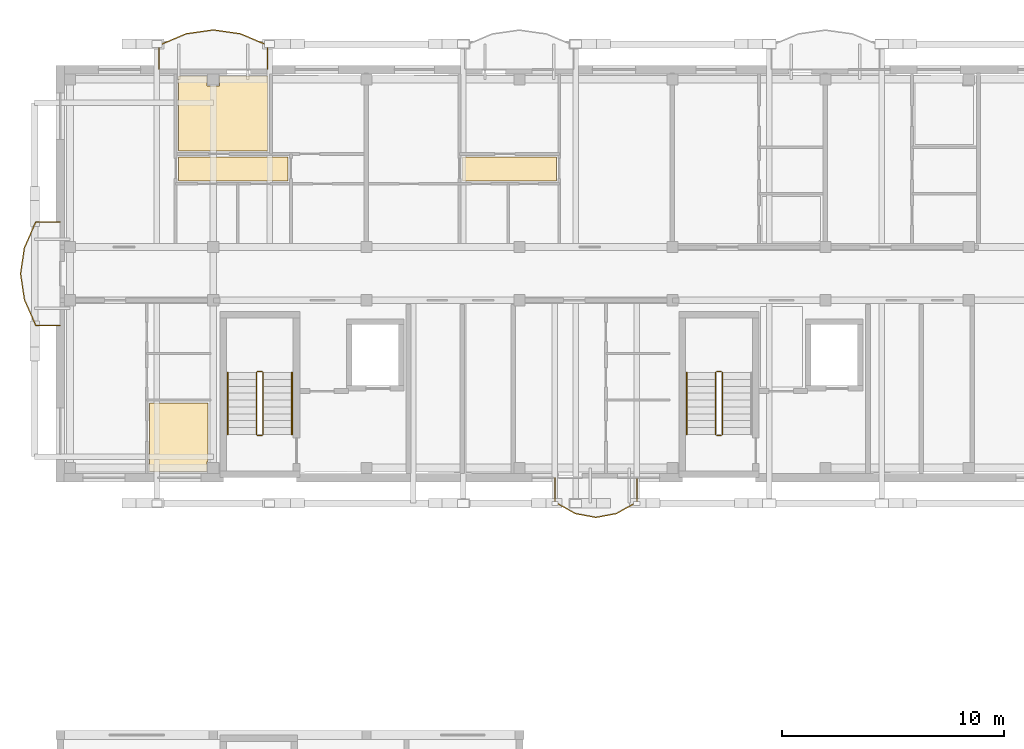
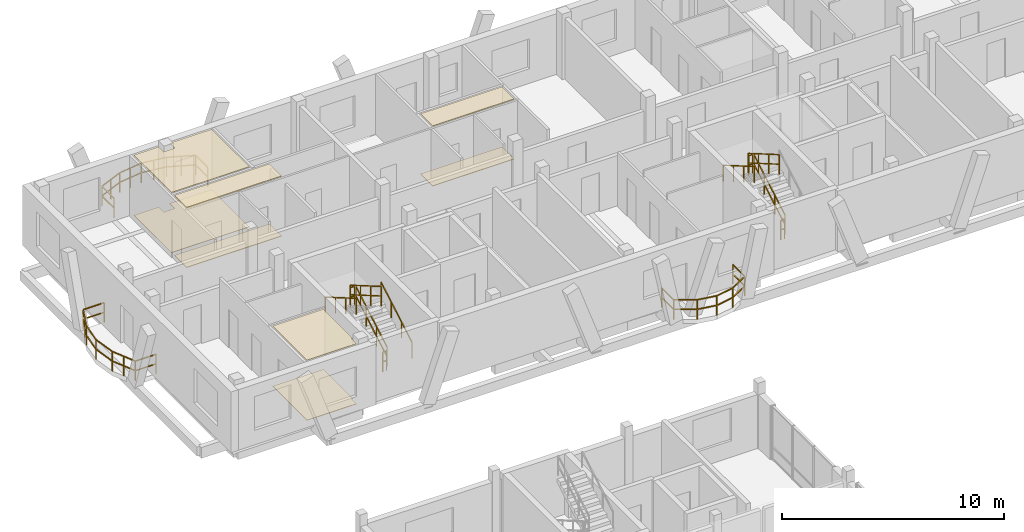
# One storey, part 179 of 189: 14 railings, 8 coverings.
"""IFC4 building model written with IfcOpenShell, lengths in metres."""

from ifc_helpers import new_model, si_unit, direction, frame, origin, origin_2d, place, context, subcontext, project, spatial, polyline, rectangle, outline, extrude, material, layer, layer_set, type_object, element, save


model = new_model("IFC4")

# Units and contexts
model_context = context("Model", 3, precision=1e-05, world=origin(), true_north=direction((0.0, 1.0)))
body_context = subcontext(model_context, "Body", "Model", "MODEL_VIEW")
ifc_project = project(units=[si_unit("LENGTHUNIT", "METRE"), si_unit("AREAUNIT", "SQUARE_METRE"), si_unit("VOLUMEUNIT", "CUBIC_METRE"), si_unit("PLANEANGLEUNIT", "RADIAN"), si_unit("MASSUNIT", "GRAM", prefix="KILO")], contexts=[model_context])

# Site, building, storey
site_placement = place(None, origin())
site = spatial("IfcSite", under=ifc_project, at=site_placement, CompositionType="ELEMENT")
building_placement = place(site_placement, origin())
building = spatial("IfcBuilding", under=site, at=building_placement, Name="Zavelmont Quarter", CompositionType="ELEMENT")
storey_placement = place(building_placement, frame((0.0, 0.0, 4.39990234375)))
storey = spatial("IfcBuildingStorey", under=building, at=storey_placement, Name="L01", CompositionType="ELEMENT", Elevation=4.39990234375)

# Coverings
ifc_material_1 = material(Name="Perforated acoustic gypsum board")
ifc_layer_1 = layer(ifc_material_1, 0.02490234375)
ifc_layer_set_1 = layer_set([ifc_layer_1], Name="Perforated acoustic gypsum board")
covering_type_1 = type_object("IfcCoveringType", Name="CV-CL01", PredefinedType="CEILING", material=ifc_layer_set_1)
covering_1_placement = place(storey_placement, frame((0.0, 0.0, 3.30517578125)))
element("IfcCovering", 1, at=covering_1_placement, inside=storey, type_object=covering_type_1, Name="L01 Master Bedroom acoustic ceiling", PredefinedType="CEILING", context=body_context, shape_type="SweptSolid", body=[
    extrude(outline(polyline([(5.330078125, 115.719970703125), (6.610107421875, 115.719970703125), (6.610107421875, 115.27001953125), (7.18994140625, 115.27001953125), (7.18994140625, 115.719970703125), (9.3701171875, 115.719970703125), (9.3701171875, 112.330078125), (5.330078125, 112.330078125), (5.330078125, 115.719970703125)])), origin(), (0.0, 0.0, 1.0), 0.02490234375),
])
covering_2_placement = place(storey_placement, frame((0.0, 0.0, 3.30517578125)))
element("IfcCovering", 2, at=covering_2_placement, inside=storey, type_object=covering_type_1, Name="L01 Single Bedroom acoustic ceiling", PredefinedType="CEILING", context=body_context, shape_type="SweptSolid", body=[
    extrude(outline(polyline([(4.030029296875, 100.969970703125), (6.669921875, 100.969970703125), (6.669921875, 98.330078125), (6.610107421875, 98.330078125), (6.610107421875, 97.8798828125), (4.030029296875, 97.8798828125), (4.030029296875, 100.969970703125)])), origin(), (0.0, 0.0, 1.0), 0.02490234375),
])
ifc_material_2 = material(Name="Slatted European ash acoustic baffle ceiling")
ifc_layer_2 = layer(ifc_material_2, 0.0400390625)
ifc_layer_set_2 = layer_set([ifc_layer_2], Name="Slatted European ash acoustic baffle ceiling")
covering_type_2 = type_object("IfcCoveringType", Name="CV-CL02", PredefinedType="CEILING", material=ifc_layer_set_2)
covering_3_placement = place(storey_placement, frame((0.0, 0.0, 3.2900390625)))
element("IfcCovering", 3, at=covering_3_placement, inside=storey, type_object=covering_type_2, Name="L01 Apartment Hall acoustic ceiling", PredefinedType="CEILING", context=body_context, shape_type="SweptSolid", body=[
    extrude(outline(polyline([(5.330078125, 112.070068359375), (10.27001953125, 112.070068359375), (10.27001953125, 110.97998046875), (5.330078125, 110.97998046875), (5.330078125, 112.070068359375)])), origin(), (0.0, 0.0, 1.0), 0.0400390625),
])
covering_4_placement = place(storey_placement, frame((0.0, 0.0, 3.2900390625)))
element("IfcCovering", 4, at=covering_4_placement, inside=storey, type_object=covering_type_2, Name="L01 Apartment Hall acoustic ceiling", PredefinedType="CEILING", context=body_context, shape_type="SweptSolid", body=[
    extrude(outline(polyline([(18.1298828125, 112.070068359375), (22.3701171875, 112.070068359375), (22.3701171875, 110.97998046875), (18.1298828125, 110.97998046875), (18.1298828125, 112.070068359375)])), origin(), (0.0, 0.0, 1.0), 0.0400390625),
])
ifc_material_3 = material(Name="Engineered European oak parquet")
ifc_layer_3 = layer(ifc_material_3, 0.02197265625)
ifc_layer_set_3 = layer_set([ifc_layer_3], Name="Engineered European oak parquet")
covering_type_3 = type_object("IfcCoveringType", Name="CV-FL01", PredefinedType="FLOORING", material=ifc_layer_set_3)
covering_5_placement = place(storey_placement, origin())
element("IfcCovering", 5, at=covering_5_placement, inside=storey, type_object=covering_type_3, Name="L01 Master Bedroom floor finish", PredefinedType="FLOORING", context=body_context, shape_type="SweptSolid", body=[
    extrude(outline(polyline([(5.330078125, 115.719970703125), (6.610107421875, 115.719970703125), (6.610107421875, 115.27001953125), (7.18994140625, 115.27001953125), (7.18994140625, 115.719970703125), (9.3701171875, 115.719970703125), (9.3701171875, 112.330078125), (5.330078125, 112.330078125), (5.330078125, 115.719970703125)])), origin(), (0.0, 0.0, 1.0), 0.022216796875),
])
covering_6_placement = place(storey_placement, origin())
element("IfcCovering", 6, at=covering_6_placement, inside=storey, type_object=covering_type_3, Name="L01 Single Bedroom floor finish", PredefinedType="FLOORING", context=body_context, shape_type="SweptSolid", body=[
    extrude(outline(polyline([(4.030029296875, 100.969970703125), (6.669921875, 100.969970703125), (6.669921875, 98.330078125), (6.610107421875, 98.330078125), (6.610107421875, 97.8798828125), (4.030029296875, 97.8798828125), (4.030029296875, 100.969970703125)])), origin(), (0.0, 0.0, 1.0), 0.022216796875),
])
ifc_material_4 = material(Name="Honed Belgian bluestone tile", Category="masonry")
ifc_layer_4 = layer(ifc_material_4, 0.030029296875)
ifc_layer_set_4 = layer_set([ifc_layer_4], Name="Honed Belgian bluestone tile")
covering_type_4 = type_object("IfcCoveringType", Name="CV-FL02", PredefinedType="FLOORING", material=ifc_layer_set_4)
covering_7_placement = place(storey_placement, origin())
element("IfcCovering", 7, at=covering_7_placement, inside=storey, type_object=covering_type_4, Name="L01 Apartment Hall floor finish", PredefinedType="FLOORING", context=body_context, shape_type="SweptSolid", body=[
    extrude(outline(polyline([(5.330078125, 112.070068359375), (10.27001953125, 112.070068359375), (10.27001953125, 110.97998046875), (5.330078125, 110.97998046875), (5.330078125, 112.070068359375)])), origin(), (0.0, 0.0, 1.0), 0.030029296875),
])
covering_8_placement = place(storey_placement, origin())
element("IfcCovering", 8, at=covering_8_placement, inside=storey, type_object=covering_type_4, Name="L01 Apartment Hall floor finish", PredefinedType="FLOORING", context=body_context, shape_type="SweptSolid", body=[
    extrude(outline(polyline([(18.1298828125, 112.070068359375), (22.3701171875, 112.070068359375), (22.3701171875, 110.97998046875), (18.1298828125, 110.97998046875), (18.1298828125, 112.070068359375)])), origin(), (0.0, 0.0, 1.0), 0.030029296875),
])

# Railings
ifc_material_5 = material(Name="Powder-coated steel and tempered double safety glass", Category="steel")
railing_type_1 = type_object("IfcRailingType", Name="RL-BAL1", PredefinedType="BALUSTRADE", material=ifc_material_5)
railing_1_placement = place(storey_placement, frame((9.339111328125, 116.02001953125, 0.0)))
element("IfcRailing", 9, at=railing_1_placement, inside=storey, type_object=railing_type_1, Name="L01 Block B curved balcony guard RL-BAL1", PredefinedType="BALUSTRADE", context=body_context, shape_type="SweptSolid", body=[
    extrude(rectangle(XDim=0.048095703125, YDim=0.048095703125, at=origin_2d()), frame((0.0, 0.0, 1.076171875), z_axis=(0.0, 1.0, 0.0), x_axis=(-1.0, 0.0, 0.0)), (0.0, 0.0, 1.0), 1.080078125),
    extrude(rectangle(XDim=0.048095703125, YDim=0.048095703125, at=origin_2d()), frame((0.0, 0.0, 0.550048828125), z_axis=(0.0, 1.0, 0.0), x_axis=(-1.0, 0.0, 0.0)), (0.0, 0.0, 1.0), 1.080078125),
    extrude(rectangle(XDim=0.048095703125, YDim=0.048095703125, at=origin_2d()), frame((0.0, 1.080078125, 1.076171875), z_axis=(-0.92058780564, 0.390535647678, 0.0), x_axis=(-0.390535647678, -0.92058780564, 0.0)), (0.0, 0.0, 1.0), 1.32470703125),
    extrude(rectangle(XDim=0.048095703125, YDim=0.048095703125, at=origin_2d()), frame((0.0, 1.080078125, 0.550048828125), z_axis=(-0.92058780564, 0.390535647678, 0.0), x_axis=(-0.390535647678, -0.92058780564, 0.0)), (0.0, 0.0, 1.0), 1.32470703125),
    extrude(rectangle(XDim=0.048095703125, YDim=0.048095703125, at=origin_2d()), frame((-1.219482421875, 1.597412109375, 1.076171875), z_axis=(-0.990134929143, 0.140117172719, 0.0), x_axis=(-0.140117172719, -0.990134929143, 0.0)), (0.0, 0.0, 1.0), 1.23193359375),
    extrude(rectangle(XDim=0.048095703125, YDim=0.048095703125, at=origin_2d()), frame((-1.219482421875, 1.597412109375, 0.550048828125), z_axis=(-0.990134929143, 0.140117172719, 0.0), x_axis=(-0.140117172719, -0.990134929143, 0.0)), (0.0, 0.0, 1.0), 1.23193359375),
    extrude(rectangle(XDim=0.048095703125, YDim=0.048095703125, at=origin_2d()), frame((-2.439208984375, 1.77001953125, 1.076171875), z_axis=(-0.990131037056, -0.140144673313, 0.0), x_axis=(0.140144673313, -0.990131037056, 0.0)), (0.0, 0.0, 1.0), 1.231689453125),
    extrude(rectangle(XDim=0.048095703125, YDim=0.048095703125, at=origin_2d()), frame((-2.439208984375, 1.77001953125, 0.550048828125), z_axis=(-0.990131037056, -0.140144673313, 0.0), x_axis=(0.140144673313, -0.990131037056, 0.0)), (0.0, 0.0, 1.0), 1.231689453125),
    extrude(rectangle(XDim=0.048095703125, YDim=0.048095703125, at=origin_2d()), frame((-3.65869140625, 1.597412109375, 1.076171875), z_axis=(-0.920615907856, -0.390469397267, 0.0), x_axis=(0.390469397267, -0.920615907856, 0.0)), (0.0, 0.0, 1.0), 1.324951171875),
    extrude(rectangle(XDim=0.048095703125, YDim=0.048095703125, at=origin_2d()), frame((-3.65869140625, 1.597412109375, 0.550048828125), z_axis=(-0.920615907856, -0.390469397267, 0.0), x_axis=(0.390469397267, -0.920615907856, 0.0)), (0.0, 0.0, 1.0), 1.324951171875),
    extrude(rectangle(XDim=0.048095703125, YDim=0.048095703125, at=origin_2d()), frame((-4.87841796875, 1.080078125, 1.076171875), z_axis=(0.0, -1.0, 0.0), x_axis=(1.0, 0.0, 0.0)), (0.0, 0.0, 1.0), 1.080078125),
    extrude(rectangle(XDim=0.048095703125, YDim=0.048095703125, at=origin_2d()), frame((-4.87841796875, 1.080078125, 0.550048828125), z_axis=(0.0, -1.0, 0.0), x_axis=(1.0, 0.0, 0.0)), (0.0, 0.0, 1.0), 1.080078125),
    extrude(rectangle(XDim=0.0419921875, YDim=0.0419921875, at=origin_2d()), origin(), (0.0, 0.0, 1.0), 1.052001953125),
    extrude(rectangle(XDim=0.0419921875, YDim=0.0419921875, at=origin_2d()), frame((0.0, 1.080078125, 0.0)), (0.0, 0.0, 1.0), 1.052001953125),
    extrude(rectangle(XDim=0.0419921875, YDim=0.0419921875, at=origin_2d()), frame((-0.60986328125, 1.3388671875, 0.0)), (0.0, 0.0, 1.0), 1.052001953125),
    extrude(rectangle(XDim=0.0419921875, YDim=0.0419921875, at=origin_2d()), frame((-1.219482421875, 1.597412109375, 0.0)), (0.0, 0.0, 1.0), 1.052001953125),
    extrude(rectangle(XDim=0.0419921875, YDim=0.0419921875, at=origin_2d()), frame((-1.829345703125, 1.68359375, 0.0)), (0.0, 0.0, 1.0), 1.052001953125),
    extrude(rectangle(XDim=0.0419921875, YDim=0.0419921875, at=origin_2d()), frame((-2.439208984375, 1.77001953125, 0.0)), (0.0, 0.0, 1.0), 1.052001953125),
    extrude(rectangle(XDim=0.0419921875, YDim=0.0419921875, at=origin_2d()), frame((-3.048828125, 1.68359375, 0.0)), (0.0, 0.0, 1.0), 1.052001953125),
    extrude(rectangle(XDim=0.0419921875, YDim=0.0419921875, at=origin_2d()), frame((-3.65869140625, 1.597412109375, 0.0)), (0.0, 0.0, 1.0), 1.052001953125),
    extrude(rectangle(XDim=0.0419921875, YDim=0.0419921875, at=origin_2d()), frame((-4.2685546875, 1.3388671875, 0.0)), (0.0, 0.0, 1.0), 1.052001953125),
    extrude(rectangle(XDim=0.0419921875, YDim=0.0419921875, at=origin_2d()), frame((-4.87841796875, 1.080078125, 0.0)), (0.0, 0.0, 1.0), 1.052001953125),
    extrude(rectangle(XDim=0.0419921875, YDim=0.0419921875, at=origin_2d()), frame((-4.87841796875, 0.0, 0.0)), (0.0, 0.0, 1.0), 1.052001953125),
])
railing_2_placement = place(storey_placement, frame((-0.02001953125, 109.13671875, 0.0)))
element("IfcRailing", 10, at=railing_2_placement, inside=storey, type_object=railing_type_1, Name="L01 Block B curved balcony guard RL-BAL1", PredefinedType="BALUSTRADE", context=body_context, shape_type="SweptSolid", body=[
    extrude(rectangle(XDim=0.048095703125, YDim=0.048095703125, at=origin_2d()), frame((0.0, 0.0, 1.076171875), z_axis=(-1.0, 0.0, 0.0), x_axis=(0.0, -1.0, 0.0)), (0.0, 0.0, 1.0), 1.080078125),
    extrude(rectangle(XDim=0.048095703125, YDim=0.048095703125, at=origin_2d()), frame((0.0, 0.0, 0.550048828125), z_axis=(-1.0, 0.0, 0.0), x_axis=(0.0, -1.0, 0.0)), (0.0, 0.0, 1.0), 1.080078125),
    extrude(rectangle(XDim=0.048095703125, YDim=0.048095703125, at=origin_2d()), frame((-1.080078125, 0.0, 1.076171875), z_axis=(-0.404914747102, -0.914354443079, 0.0), x_axis=(0.914354443079, -0.404914747102, 0.0)), (0.0, 0.0, 1.0), 1.277587890625),
    extrude(rectangle(XDim=0.048095703125, YDim=0.048095703125, at=origin_2d()), frame((-1.080078125, 0.0, 0.550048828125), z_axis=(-0.404914747102, -0.914354443079, 0.0), x_axis=(0.914354443079, -0.404914747102, 0.0)), (0.0, 0.0, 1.0), 1.277587890625),
    extrude(rectangle(XDim=0.048095703125, YDim=0.048095703125, at=origin_2d()), frame((-1.597412109375, -1.168212890625, 1.076171875), z_axis=(-0.146136636369, -0.989264415367, 0.0), x_axis=(0.989264415367, -0.146136636369, 0.0)), (0.0, 0.0, 1.0), 1.18115234375),
    extrude(rectangle(XDim=0.048095703125, YDim=0.048095703125, at=origin_2d()), frame((-1.597412109375, -1.168212890625, 0.550048828125), z_axis=(-0.146136636369, -0.989264415367, 0.0), x_axis=(0.989264415367, -0.146136636369, 0.0)), (0.0, 0.0, 1.0), 1.18115234375),
    extrude(rectangle(XDim=0.048095703125, YDim=0.048095703125, at=origin_2d()), frame((-1.77001953125, -2.336669921875, 1.076171875), z_axis=(0.146136636369, -0.989264415367, 0.0), x_axis=(0.989264415367, 0.146136636369, 0.0)), (0.0, 0.0, 1.0), 1.18115234375),
    extrude(rectangle(XDim=0.048095703125, YDim=0.048095703125, at=origin_2d()), frame((-1.77001953125, -2.336669921875, 0.550048828125), z_axis=(0.146136636369, -0.989264415367, 0.0), x_axis=(0.989264415367, 0.146136636369, 0.0)), (0.0, 0.0, 1.0), 1.18115234375),
    extrude(rectangle(XDim=0.048095703125, YDim=0.048095703125, at=origin_2d()), frame((-1.597412109375, -3.505126953125, 1.076171875), z_axis=(0.404844010797, -0.914385764829, 0.0), x_axis=(0.914385764829, 0.404844010797, 0.0)), (0.0, 0.0, 1.0), 1.27783203125),
    extrude(rectangle(XDim=0.048095703125, YDim=0.048095703125, at=origin_2d()), frame((-1.597412109375, -3.505126953125, 0.550048828125), z_axis=(0.404844010797, -0.914385764829, 0.0), x_axis=(0.914385764829, 0.404844010797, 0.0)), (0.0, 0.0, 1.0), 1.27783203125),
    extrude(rectangle(XDim=0.048095703125, YDim=0.048095703125, at=origin_2d()), frame((-1.080078125, -4.673583984375, 1.076171875), z_axis=(1.0, 0.0, 0.0), x_axis=(0.0, 1.0, 0.0)), (0.0, 0.0, 1.0), 1.080078125),
    extrude(rectangle(XDim=0.048095703125, YDim=0.048095703125, at=origin_2d()), frame((-1.080078125, -4.673583984375, 0.550048828125), z_axis=(1.0, 0.0, 0.0), x_axis=(0.0, 1.0, 0.0)), (0.0, 0.0, 1.0), 1.080078125),
    extrude(rectangle(XDim=0.0419921875, YDim=0.0419921875, at=origin_2d()), origin(), (0.0, 0.0, 1.0), 1.052001953125),
    extrude(rectangle(XDim=0.0419921875, YDim=0.0419921875, at=origin_2d()), frame((-1.080078125, 0.0, 0.0)), (0.0, 0.0, 1.0), 1.052001953125),
    extrude(rectangle(XDim=0.0419921875, YDim=0.0419921875, at=origin_2d()), frame((-1.3388671875, -0.583984375, 0.0)), (0.0, 0.0, 1.0), 1.052001953125),
    extrude(rectangle(XDim=0.0419921875, YDim=0.0419921875, at=origin_2d()), frame((-1.597412109375, -1.168212890625, 0.0)), (0.0, 0.0, 1.0), 1.052001953125),
    extrude(rectangle(XDim=0.0419921875, YDim=0.0419921875, at=origin_2d()), frame((-1.77001953125, -2.336669921875, 0.0)), (0.0, 0.0, 1.0), 1.052001953125),
    extrude(rectangle(XDim=0.0419921875, YDim=0.0419921875, at=origin_2d()), frame((-1.597412109375, -3.505126953125, 0.0)), (0.0, 0.0, 1.0), 1.052001953125),
    extrude(rectangle(XDim=0.0419921875, YDim=0.0419921875, at=origin_2d()), frame((-1.3388671875, -4.08935546875, 0.0)), (0.0, 0.0, 1.0), 1.052001953125),
    extrude(rectangle(XDim=0.0419921875, YDim=0.0419921875, at=origin_2d()), frame((-1.080078125, -4.673583984375, 0.0)), (0.0, 0.0, 1.0), 1.052001953125),
    extrude(rectangle(XDim=0.0419921875, YDim=0.0419921875, at=origin_2d()), frame((0.0, -4.673583984375, 0.0)), (0.0, 0.0, 1.0), 1.052001953125),
])
railing_3_placement = place(storey_placement, frame((22.3046875, 97.580078125, 0.0)))
element("IfcRailing", 11, at=railing_3_placement, inside=storey, type_object=railing_type_1, Name="L01 Block B curved balcony guard RL-BAL1", PredefinedType="BALUSTRADE", context=body_context, shape_type="SweptSolid", body=[
    extrude(rectangle(XDim=0.048095703125, YDim=0.048095703125, at=origin_2d()), frame((0.0, 0.0, 1.076171875), z_axis=(0.0, -1.0, 0.0), x_axis=(1.0, 0.0, 0.0)), (0.0, 0.0, 1.0), 1.080078125),
    extrude(rectangle(XDim=0.048095703125, YDim=0.048095703125, at=origin_2d()), frame((0.0, 0.0, 0.550048828125), z_axis=(0.0, -1.0, 0.0), x_axis=(1.0, 0.0, 0.0)), (0.0, 0.0, 1.0), 1.080078125),
    extrude(rectangle(XDim=0.048095703125, YDim=0.048095703125, at=origin_2d()), frame((0.0, -1.080078125, 1.076171875), z_axis=(0.87213583552, -0.489263818815, 0.0), x_axis=(0.489263818815, 0.87213583552, 0.0)), (0.0, 0.0, 1.0), 1.057861328125),
    extrude(rectangle(XDim=0.048095703125, YDim=0.048095703125, at=origin_2d()), frame((0.0, -1.080078125, 0.550048828125), z_axis=(0.87213583552, -0.489263818815, 0.0), x_axis=(0.489263818815, 0.87213583552, 0.0)), (0.0, 0.0, 1.0), 1.057861328125),
    extrude(rectangle(XDim=0.048095703125, YDim=0.048095703125, at=origin_2d()), frame((0.922607421875, -1.59765625, 1.076171875), z_axis=(0.982992710855, -0.183644576307, 0.0), x_axis=(0.183644576307, 0.982992710855, 0.0)), (0.0, 0.0, 1.0), 0.9384765625),
    extrude(rectangle(XDim=0.048095703125, YDim=0.048095703125, at=origin_2d()), frame((0.922607421875, -1.59765625, 0.550048828125), z_axis=(0.982992710855, -0.183644576307, 0.0), x_axis=(0.183644576307, 0.982992710855, 0.0)), (0.0, 0.0, 1.0), 0.9384765625),
    extrude(rectangle(XDim=0.048095703125, YDim=0.048095703125, at=origin_2d()), frame((1.84521484375, -1.77001953125, 1.076171875), z_axis=(0.982992710855, 0.183644576307, 0.0), x_axis=(-0.183644576307, 0.982992710855, 0.0)), (0.0, 0.0, 1.0), 0.9384765625),
    extrude(rectangle(XDim=0.048095703125, YDim=0.048095703125, at=origin_2d()), frame((1.84521484375, -1.77001953125, 0.550048828125), z_axis=(0.982992710855, 0.183644576307, 0.0), x_axis=(-0.183644576307, 0.982992710855, 0.0)), (0.0, 0.0, 1.0), 0.9384765625),
    extrude(rectangle(XDim=0.048095703125, YDim=0.048095703125, at=origin_2d()), frame((2.767822265625, -1.59765625, 1.076171875), z_axis=(0.872191063904, 0.489165358592, 0.0), x_axis=(-0.489165358592, 0.872191063904, 0.0)), (0.0, 0.0, 1.0), 1.05810546875),
    extrude(rectangle(XDim=0.048095703125, YDim=0.048095703125, at=origin_2d()), frame((2.767822265625, -1.59765625, 0.550048828125), z_axis=(0.872191063904, 0.489165358592, 0.0), x_axis=(-0.489165358592, 0.872191063904, 0.0)), (0.0, 0.0, 1.0), 1.05810546875),
    extrude(rectangle(XDim=0.048095703125, YDim=0.048095703125, at=origin_2d()), frame((3.690673828125, -1.080078125, 1.076171875), z_axis=(0.0, 1.0, 0.0), x_axis=(-1.0, 0.0, 0.0)), (0.0, 0.0, 1.0), 1.080078125),
    extrude(rectangle(XDim=0.048095703125, YDim=0.048095703125, at=origin_2d()), frame((3.690673828125, -1.080078125, 0.550048828125), z_axis=(0.0, 1.0, 0.0), x_axis=(-1.0, 0.0, 0.0)), (0.0, 0.0, 1.0), 1.080078125),
    extrude(rectangle(XDim=0.0419921875, YDim=0.0419921875, at=origin_2d()), origin(), (0.0, 0.0, 1.0), 1.052001953125),
    extrude(rectangle(XDim=0.0419921875, YDim=0.0419921875, at=origin_2d()), frame((0.0, -1.080078125, 0.0)), (0.0, 0.0, 1.0), 1.052001953125),
    extrude(rectangle(XDim=0.0419921875, YDim=0.0419921875, at=origin_2d()), frame((0.922607421875, -1.59765625, 0.0)), (0.0, 0.0, 1.0), 1.052001953125),
    extrude(rectangle(XDim=0.0419921875, YDim=0.0419921875, at=origin_2d()), frame((1.84521484375, -1.77001953125, 0.0)), (0.0, 0.0, 1.0), 1.052001953125),
    extrude(rectangle(XDim=0.0419921875, YDim=0.0419921875, at=origin_2d()), frame((2.767822265625, -1.59765625, 0.0)), (0.0, 0.0, 1.0), 1.052001953125),
    extrude(rectangle(XDim=0.0419921875, YDim=0.0419921875, at=origin_2d()), frame((3.690673828125, -1.080078125, 0.0)), (0.0, 0.0, 1.0), 1.052001953125),
    extrude(rectangle(XDim=0.0419921875, YDim=0.0419921875, at=origin_2d()), frame((3.690673828125, 0.0, 0.0)), (0.0, 0.0, 1.0), 1.052001953125),
])
ifc_material_6 = material(Name="Powder-coated steel stair guardrail", Category="steel")
railing_type_2 = type_object("IfcRailingType", Name="RL-GRD1", PredefinedType="GUARDRAIL", material=ifc_material_6)
railing_4_placement = place(storey_placement, frame((9.14990234375, 99.550048828125, 0.18017578125)))
element("IfcRailing", 12, at=railing_4_placement, inside=storey, type_object=railing_type_2, Name="L01 ST03 stair guardrail 1", PredefinedType="GUARDRAIL", context=body_context, shape_type="SweptSolid", body=[
    extrude(rectangle(XDim=0.048095703125, YDim=0.048095703125, at=origin_2d()), frame((0.0, 0.0, 1.076171875), z_axis=(0.0, 0.864809086542, 0.502100830347), x_axis=(-1.0, 0.0, 0.0)), (0.0, 0.0, 1.0), 3.22607421875),
    extrude(rectangle(XDim=0.048095703125, YDim=0.048095703125, at=origin_2d()), frame((0.0, 0.0, 0.550048828125), z_axis=(0.0, 0.864809086542, 0.502100830347), x_axis=(-1.0, 0.0, 0.0)), (0.0, 0.0, 1.0), 3.22607421875),
    extrude(rectangle(XDim=0.0419921875, YDim=0.0419921875, at=origin_2d()), origin(), (0.0, 0.0, 1.0), 1.052001953125),
    extrude(rectangle(XDim=0.0419921875, YDim=0.0419921875, at=origin_2d()), frame((0.0, 0.929931640625, 0.5400390625)), (0.0, 0.0, 1.0), 1.052001953125),
    extrude(rectangle(XDim=0.0419921875, YDim=0.0419921875, at=origin_2d()), frame((0.0, 1.860107421875, 1.079833984375)), (0.0, 0.0, 1.0), 1.052001953125),
    extrude(rectangle(XDim=0.0419921875, YDim=0.0419921875, at=origin_2d()), frame((0.0, 2.7900390625, 1.619873046875)), (0.0, 0.0, 1.0), 1.052001953125),
])
railing_5_placement = place(storey_placement, frame((9.10009765625, 102.389892578125, 1.800048828125)))
element("IfcRailing", 13, at=railing_5_placement, inside=storey, type_object=railing_type_2, Name="L01 ST03 stair guardrail 2", PredefinedType="GUARDRAIL", context=body_context, shape_type="SweptSolid", body=[
    extrude(rectangle(XDim=0.048095703125, YDim=0.048095703125, at=origin_2d()), frame((0.0, 0.0, 1.076171875), z_axis=(-1.0, 0.0, 0.0), x_axis=(0.0, -1.0, 0.0)), (0.0, 0.0, 1.0), 0.2001953125),
    extrude(rectangle(XDim=0.048095703125, YDim=0.048095703125, at=origin_2d()), frame((0.0, 0.0, 0.550048828125), z_axis=(-1.0, 0.0, 0.0), x_axis=(0.0, -1.0, 0.0)), (0.0, 0.0, 1.0), 0.2001953125),
    extrude(rectangle(XDim=0.0419921875, YDim=0.0419921875, at=origin_2d()), origin(), (0.0, 0.0, 1.0), 1.052001953125),
    extrude(rectangle(XDim=0.0419921875, YDim=0.0419921875, at=origin_2d()), frame((-0.2001953125, 0.0, 0.0)), (0.0, 0.0, 1.0), 1.052001953125),
])
railing_6_placement = place(storey_placement, frame((8.85009765625, 102.340087890625, 1.97998046875)))
element("IfcRailing", 14, at=railing_6_placement, inside=storey, type_object=railing_type_2, Name="L01 ST03 stair guardrail 3", PredefinedType="GUARDRAIL", context=body_context, shape_type="SweptSolid", body=[
    extrude(rectangle(XDim=0.048095703125, YDim=0.048095703125, at=origin_2d()), frame((0.0, 0.0, 1.076171875), z_axis=(0.0, -0.86477622642, 0.502157423742), x_axis=(1.0, 0.0, 0.0)), (0.0, 0.0, 1.0), 3.226318359375),
    extrude(rectangle(XDim=0.048095703125, YDim=0.048095703125, at=origin_2d()), frame((0.0, 0.0, 0.550048828125), z_axis=(0.0, -0.86477622642, 0.502157423742), x_axis=(1.0, 0.0, 0.0)), (0.0, 0.0, 1.0), 3.226318359375),
    extrude(rectangle(XDim=0.0419921875, YDim=0.0419921875, at=origin_2d()), origin(), (0.0, 0.0, 1.0), 1.052001953125),
    extrude(rectangle(XDim=0.0419921875, YDim=0.0419921875, at=origin_2d()), frame((0.0, -0.929931640625, 0.5400390625)), (0.0, 0.0, 1.0), 1.052001953125),
    extrude(rectangle(XDim=0.0419921875, YDim=0.0419921875, at=origin_2d()), frame((0.0, -1.860107421875, 1.080078125)), (0.0, 0.0, 1.0), 1.052001953125),
    extrude(rectangle(XDim=0.0419921875, YDim=0.0419921875, at=origin_2d()), frame((0.0, -2.7900390625, 1.6201171875)), (0.0, 0.0, 1.0), 1.052001953125),
])
railing_7_placement = place(storey_placement, frame((9.10009765625, 99.5, 0.0)))
element("IfcRailing", 15, at=railing_7_placement, inside=storey, type_object=railing_type_2, Name="L01 ST03 stair guardrail 4", PredefinedType="GUARDRAIL", context=body_context, shape_type="SweptSolid", body=[
    extrude(rectangle(XDim=0.048095703125, YDim=0.048095703125, at=origin_2d()), frame((0.0, 0.0, 1.076171875), z_axis=(-1.0, 0.0, 0.0), x_axis=(0.0, -1.0, 0.0)), (0.0, 0.0, 1.0), 0.2001953125),
    extrude(rectangle(XDim=0.048095703125, YDim=0.048095703125, at=origin_2d()), frame((0.0, 0.0, 0.550048828125), z_axis=(-1.0, 0.0, 0.0), x_axis=(0.0, -1.0, 0.0)), (0.0, 0.0, 1.0), 0.2001953125),
    extrude(rectangle(XDim=0.0419921875, YDim=0.0419921875, at=origin_2d()), origin(), (0.0, 0.0, 1.0), 1.052001953125),
    extrude(rectangle(XDim=0.0419921875, YDim=0.0419921875, at=origin_2d()), frame((-0.2001953125, 0.0, 0.0)), (0.0, 0.0, 1.0), 1.052001953125),
])
railing_8_placement = place(storey_placement, frame((29.85009765625, 99.550048828125, 0.18017578125)))
element("IfcRailing", 16, at=railing_8_placement, inside=storey, type_object=railing_type_2, Name="L01 ST04 stair guardrail 1", PredefinedType="GUARDRAIL", context=body_context, shape_type="SweptSolid", body=[
    extrude(rectangle(XDim=0.048095703125, YDim=0.048095703125, at=origin_2d()), frame((0.0, 0.0, 1.076171875), z_axis=(0.0, 0.864809086542, 0.502100830347), x_axis=(-1.0, 0.0, 0.0)), (0.0, 0.0, 1.0), 3.22607421875),
    extrude(rectangle(XDim=0.048095703125, YDim=0.048095703125, at=origin_2d()), frame((0.0, 0.0, 0.550048828125), z_axis=(0.0, 0.864809086542, 0.502100830347), x_axis=(-1.0, 0.0, 0.0)), (0.0, 0.0, 1.0), 3.22607421875),
    extrude(rectangle(XDim=0.0419921875, YDim=0.0419921875, at=origin_2d()), origin(), (0.0, 0.0, 1.0), 1.052001953125),
    extrude(rectangle(XDim=0.0419921875, YDim=0.0419921875, at=origin_2d()), frame((0.0, 0.929931640625, 0.5400390625)), (0.0, 0.0, 1.0), 1.052001953125),
    extrude(rectangle(XDim=0.0419921875, YDim=0.0419921875, at=origin_2d()), frame((0.0, 1.860107421875, 1.079833984375)), (0.0, 0.0, 1.0), 1.052001953125),
    extrude(rectangle(XDim=0.0419921875, YDim=0.0419921875, at=origin_2d()), frame((0.0, 2.7900390625, 1.619873046875)), (0.0, 0.0, 1.0), 1.052001953125),
])
railing_9_placement = place(storey_placement, frame((29.800048828125, 102.389892578125, 1.800048828125)))
element("IfcRailing", 17, at=railing_9_placement, inside=storey, type_object=railing_type_2, Name="L01 ST04 stair guardrail 2", PredefinedType="GUARDRAIL", context=body_context, shape_type="SweptSolid", body=[
    extrude(rectangle(XDim=0.048095703125, YDim=0.048095703125, at=origin_2d()), frame((0.0, 0.0, 1.076171875), z_axis=(-1.0, 0.0, 0.0), x_axis=(0.0, -1.0, 0.0)), (0.0, 0.0, 1.0), 0.199951171875),
    extrude(rectangle(XDim=0.048095703125, YDim=0.048095703125, at=origin_2d()), frame((0.0, 0.0, 0.550048828125), z_axis=(-1.0, 0.0, 0.0), x_axis=(0.0, -1.0, 0.0)), (0.0, 0.0, 1.0), 0.199951171875),
    extrude(rectangle(XDim=0.0419921875, YDim=0.0419921875, at=origin_2d()), origin(), (0.0, 0.0, 1.0), 1.052001953125),
    extrude(rectangle(XDim=0.0419921875, YDim=0.0419921875, at=origin_2d()), frame((-0.199951171875, 0.0, 0.0)), (0.0, 0.0, 1.0), 1.052001953125),
])
railing_10_placement = place(storey_placement, frame((29.550048828125, 102.340087890625, 1.97998046875)))
element("IfcRailing", 18, at=railing_10_placement, inside=storey, type_object=railing_type_2, Name="L01 ST04 stair guardrail 3", PredefinedType="GUARDRAIL", context=body_context, shape_type="SweptSolid", body=[
    extrude(rectangle(XDim=0.048095703125, YDim=0.048095703125, at=origin_2d()), frame((0.0, 0.0, 1.076171875), z_axis=(0.0, -0.86477622642, 0.502157423742), x_axis=(1.0, 0.0, 0.0)), (0.0, 0.0, 1.0), 3.226318359375),
    extrude(rectangle(XDim=0.048095703125, YDim=0.048095703125, at=origin_2d()), frame((0.0, 0.0, 0.550048828125), z_axis=(0.0, -0.86477622642, 0.502157423742), x_axis=(1.0, 0.0, 0.0)), (0.0, 0.0, 1.0), 3.226318359375),
    extrude(rectangle(XDim=0.0419921875, YDim=0.0419921875, at=origin_2d()), origin(), (0.0, 0.0, 1.0), 1.052001953125),
    extrude(rectangle(XDim=0.0419921875, YDim=0.0419921875, at=origin_2d()), frame((0.0, -0.929931640625, 0.5400390625)), (0.0, 0.0, 1.0), 1.052001953125),
    extrude(rectangle(XDim=0.0419921875, YDim=0.0419921875, at=origin_2d()), frame((0.0, -1.860107421875, 1.080078125)), (0.0, 0.0, 1.0), 1.052001953125),
    extrude(rectangle(XDim=0.0419921875, YDim=0.0419921875, at=origin_2d()), frame((0.0, -2.7900390625, 1.6201171875)), (0.0, 0.0, 1.0), 1.052001953125),
])
railing_11_placement = place(storey_placement, frame((29.800048828125, 99.5, 0.0)))
element("IfcRailing", 19, at=railing_11_placement, inside=storey, type_object=railing_type_2, Name="L01 ST04 stair guardrail 4", PredefinedType="GUARDRAIL", context=body_context, shape_type="SweptSolid", body=[
    extrude(rectangle(XDim=0.048095703125, YDim=0.048095703125, at=origin_2d()), frame((0.0, 0.0, 1.076171875), z_axis=(-1.0, 0.0, 0.0), x_axis=(0.0, -1.0, 0.0)), (0.0, 0.0, 1.0), 0.199951171875),
    extrude(rectangle(XDim=0.048095703125, YDim=0.048095703125, at=origin_2d()), frame((0.0, 0.0, 0.550048828125), z_axis=(-1.0, 0.0, 0.0), x_axis=(0.0, -1.0, 0.0)), (0.0, 0.0, 1.0), 0.199951171875),
    extrude(rectangle(XDim=0.0419921875, YDim=0.0419921875, at=origin_2d()), origin(), (0.0, 0.0, 1.0), 1.052001953125),
    extrude(rectangle(XDim=0.0419921875, YDim=0.0419921875, at=origin_2d()), frame((-0.199951171875, 0.0, 0.0)), (0.0, 0.0, 1.0), 1.052001953125),
])
ifc_material_7 = material(Name="Brushed stainless-steel wall handrail", Category="steel")
railing_type_3 = type_object("IfcRailingType", Name="RL-HND1", PredefinedType="HANDRAIL", material=ifc_material_7)
railing_12_placement = place(storey_placement, frame((10.449951171875, 99.550048828125, 0.18017578125)))
element("IfcRailing", 20, at=railing_12_placement, inside=storey, type_object=railing_type_3, Name="L01 ST03 stair handrail 1", PredefinedType="HANDRAIL", context=body_context, shape_type="SweptSolid", body=[
    extrude(rectangle(XDim=0.048095703125, YDim=0.048095703125, at=origin_2d()), frame((0.0, 0.0, 0.8759765625), z_axis=(0.0, 0.864809086542, 0.502100830347), x_axis=(-1.0, 0.0, 0.0)), (0.0, 0.0, 1.0), 3.22607421875),
    extrude(rectangle(XDim=0.0419921875, YDim=0.0419921875, at=origin_2d()), origin(), (0.0, 0.0, 1.0), 0.851806640625),
    extrude(rectangle(XDim=0.0419921875, YDim=0.0419921875, at=origin_2d()), frame((0.0, 0.929931640625, 0.5400390625)), (0.0, 0.0, 1.0), 0.851806640625),
    extrude(rectangle(XDim=0.0419921875, YDim=0.0419921875, at=origin_2d()), frame((0.0, 1.860107421875, 1.079833984375)), (0.0, 0.0, 1.0), 0.851806640625),
    extrude(rectangle(XDim=0.0419921875, YDim=0.0419921875, at=origin_2d()), frame((0.0, 2.7900390625, 1.619873046875)), (0.0, 0.0, 1.0), 0.851806640625),
])
for number, where, name in (
    (21, (7.550048828125, 102.340087890625, 1.97998046875), "L01 ST03 stair handrail 2"),
    (22, (28.25, 102.340087890625, 1.97998046875), "L01 ST04 stair handrail 2"),
):
    element("IfcRailing", number, at=place(storey_placement, frame(where)), inside=storey, type_object=railing_type_3, Name=name, PredefinedType="HANDRAIL", context=body_context, shape_type="SweptSolid", body=[
        extrude(rectangle(XDim=0.048095703125, YDim=0.048095703125, at=origin_2d()), frame((0.0, 0.0, 0.8759765625), z_axis=(0.0, -0.86477622642, 0.502157423742), x_axis=(1.0, 0.0, 0.0)), (0.0, 0.0, 1.0), 3.226318359375),
        extrude(rectangle(XDim=0.0419921875, YDim=0.0419921875, at=origin_2d()), origin(), (0.0, 0.0, 1.0), 0.851806640625),
        extrude(rectangle(XDim=0.0419921875, YDim=0.0419921875, at=origin_2d()), frame((0.0, -0.929931640625, 0.5400390625)), (0.0, 0.0, 1.0), 0.851806640625),
        extrude(rectangle(XDim=0.0419921875, YDim=0.0419921875, at=origin_2d()), frame((0.0, -1.860107421875, 1.080078125)), (0.0, 0.0, 1.0), 0.851806640625),
        extrude(rectangle(XDim=0.0419921875, YDim=0.0419921875, at=origin_2d()), frame((0.0, -2.7900390625, 1.6201171875)), (0.0, 0.0, 1.0), 0.851806640625),
    ])

save(model, "model.ifc")
